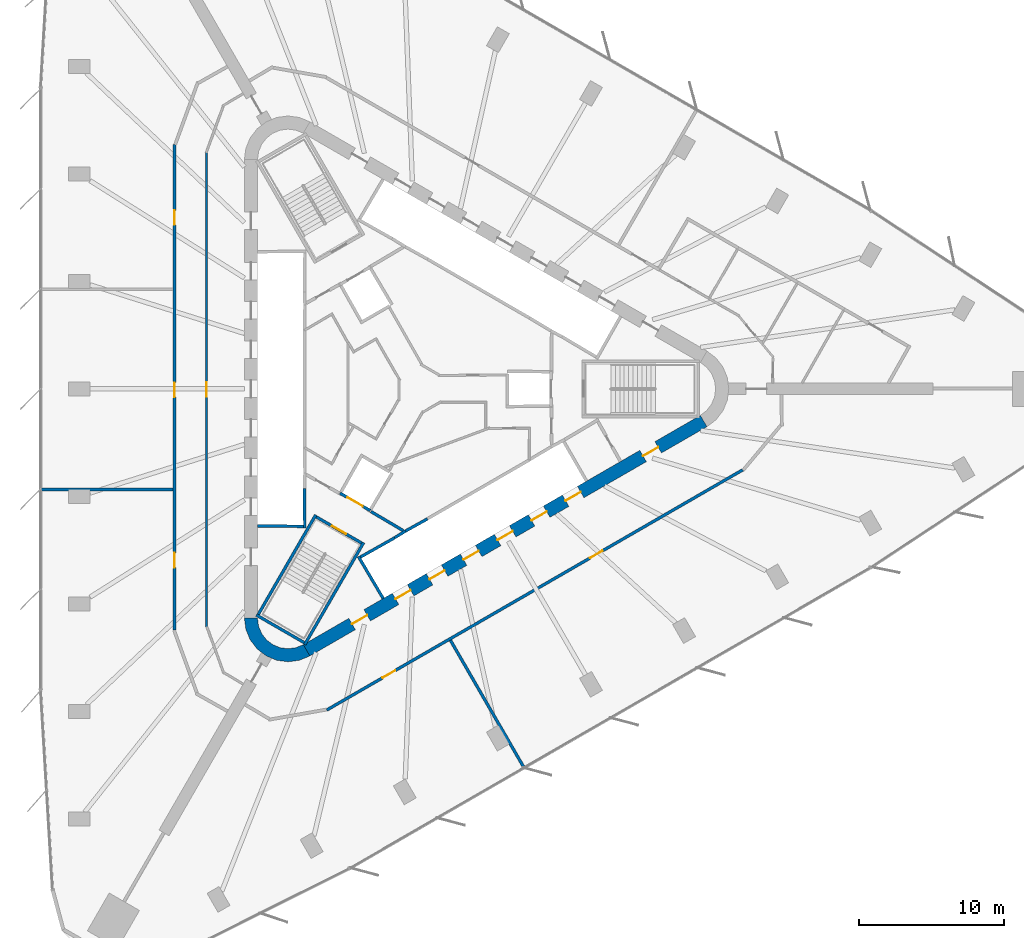
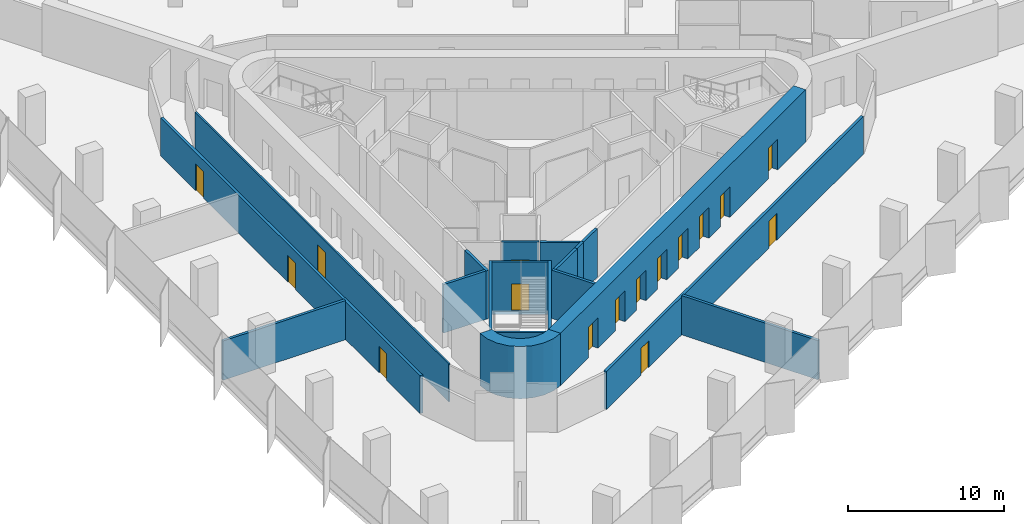
# One storey, part 9 of 14: 19 walls, 16 doors, 16 openings.
"""IFC4 building model written with IfcOpenShell, lengths in metres."""

from ifc_helpers import new_model, si_unit, direction, frame, frame_2d, origin, place, context, subcontext, project, spatial, polyline, rectangle, outline, extrude, material, layer, layer_set, type_object, element, fill, save


model = new_model("IFC4")

# Units and contexts
model_context = context("Model", 3, precision=1e-05, world=origin(), true_north=direction((0.0, 1.0)))
body_context = subcontext(model_context, "Body", "Model", "MODEL_VIEW")
ifc_project = project(units=[si_unit("LENGTHUNIT", "METRE"), si_unit("AREAUNIT", "SQUARE_METRE"), si_unit("VOLUMEUNIT", "CUBIC_METRE"), si_unit("PLANEANGLEUNIT", "RADIAN"), si_unit("MASSUNIT", "GRAM", prefix="KILO")], contexts=[model_context])

# Site, building, storey
site_placement = place(None, origin())
site = spatial("IfcSite", under=ifc_project, at=site_placement, CompositionType="ELEMENT")
building_placement = place(site_placement, origin())
building = spatial("IfcBuilding", under=site, at=building_placement, Name="Tanit Gate Tower", CompositionType="ELEMENT")
storey_placement = place(building_placement, frame((0.0, 0.0, 49.60009765625)))
storey = spatial("IfcBuildingStorey", under=building, at=storey_placement, Name="L08", CompositionType="ELEMENT", Elevation=49.60009765625)

# Wall, openings, doors
ifc_material_1 = material(Name="Concrete C60/75", Category="concrete")
ifc_layer_1 = layer(ifc_material_1, 0.89990234375)
ifc_layer_set_1 = layer_set([ifc_layer_1], Name="CORE WALL 900 C60/75")
wall_type_1 = type_object("IfcWallType", Name="CORE WALL 900 C60/75", PredefinedType="SHEAR", material=ifc_layer_set_1)
wall_1_placement = place(storey_placement, frame((-7.824951171875, -17.969970703125, 0.0), z_axis=(0.0, 0.0, 1.0), x_axis=(0.866028369851, 0.499994862586, 0.0)))
wall_1 = element("IfcWall", 1, at=wall_1_placement, inside=storey, type_object=wall_type_1, Name="CORE WALL", PredefinedType="SHEAR", context=body_context, shape_type="SweptSolid", body=[
    extrude(rectangle(XDim=31.523193359375, YDim=0.89990234375, at=frame_2d((15.76171875, 0.0))), origin(), (0.0, 0.0, 1.0), 4.099853515625),
])
opening_1_placement = place(wall_1_placement, frame((7.061767578125, 0.0, 0.0)))
opening_1 = element("IfcOpeningElement", 2, at=opening_1_placement, cuts=wall_1, Name="Opening LDSX1-S00", PredefinedType="OPENING", context=body_context, shape_type="SweptSolid", body=[
    extrude(rectangle(XDim=1.199951171875, YDim=2.39990234375, at=frame_2d((0.60009765625, 1.199951171875))), frame((0.0, 0.4599609375, 0.0), z_axis=(0.0, -1.0, 0.0), x_axis=(1.0, 0.0, 0.0)), (0.0, 0.0, 1.0), 0.919921875),
])
opening_2_placement = place(wall_1_placement, frame((9.76171875, 0.0, 0.0)))
opening_2 = element("IfcOpeningElement", 3, at=opening_2_placement, cuts=wall_1, Name="Opening LDSX2-S00", PredefinedType="OPENING", context=body_context, shape_type="SweptSolid", body=[
    extrude(rectangle(XDim=1.199951171875, YDim=2.39990234375, at=frame_2d((0.60009765625, 1.199951171875))), frame((0.0, 0.4599609375, 0.0), z_axis=(0.0, -1.0, 0.0), x_axis=(1.0, 0.0, 0.0)), (0.0, 0.0, 1.0), 0.919921875),
])
opening_3_placement = place(wall_1_placement, frame((12.461669921875, 0.0, 0.0)))
opening_3 = element("IfcOpeningElement", 4, at=opening_3_placement, cuts=wall_1, Name="Opening LDSX3-S00", PredefinedType="OPENING", context=body_context, shape_type="SweptSolid", body=[
    extrude(rectangle(XDim=1.199951171875, YDim=2.39990234375, at=frame_2d((0.60009765625, 1.199951171875))), frame((0.0, 0.4599609375, 0.0), z_axis=(0.0, -1.0, 0.0), x_axis=(1.0, 0.0, 0.0)), (0.0, 0.0, 1.0), 0.919921875),
])
opening_4_placement = place(wall_1_placement, frame((15.16162109375, 0.0, 0.0)))
opening_4 = element("IfcOpeningElement", 5, at=opening_4_placement, cuts=wall_1, Name="Opening LDSX4-S00", PredefinedType="OPENING", context=body_context, shape_type="SweptSolid", body=[
    extrude(rectangle(XDim=1.199951171875, YDim=2.39990234375, at=frame_2d((0.60009765625, 1.199951171875))), frame((0.0, 0.4599609375, 0.0), z_axis=(0.0, -1.0, 0.0), x_axis=(1.0, 0.0, 0.0)), (0.0, 0.0, 1.0), 0.919921875),
])
opening_5_placement = place(wall_1_placement, frame((17.861572265625, 0.0, 0.0)))
opening_5 = element("IfcOpeningElement", 6, at=opening_5_placement, cuts=wall_1, Name="Opening LDSV1-S00", PredefinedType="OPENING", context=body_context, shape_type="SweptSolid", body=[
    extrude(rectangle(XDim=1.199951171875, YDim=2.39990234375, at=frame_2d((0.60009765625, 1.199951171875))), frame((0.0, 0.4599609375, 0.0), z_axis=(0.0, -1.0, 0.0), x_axis=(1.0, 0.0, 0.0)), (0.0, 0.0, 1.0), 0.919921875),
])
opening_6_placement = place(wall_1_placement, frame((20.561767578125, 0.0, 0.0)))
opening_6 = element("IfcOpeningElement", 7, at=opening_6_placement, cuts=wall_1, Name="Opening LDSV2-S00", PredefinedType="OPENING", context=body_context, shape_type="SweptSolid", body=[
    extrude(rectangle(XDim=1.199951171875, YDim=2.39990234375, at=frame_2d((0.60009765625, 1.199951171875))), frame((0.0, 0.4599609375, 0.0), z_axis=(0.0, -1.0, 0.0), x_axis=(1.0, 0.0, 0.0)), (0.0, 0.0, 1.0), 0.919921875),
])
opening_7_placement = place(wall_1_placement, frame((26.711669921875, 0.0, 0.0)))
opening_7 = element("IfcOpeningElement", 8, at=opening_7_placement, cuts=wall_1, Name="Opening F12-S00-S1", PredefinedType="OPENING", context=body_context, shape_type="SweptSolid", body=[
    extrude(rectangle(XDim=1.199951171875, YDim=2.39990234375, at=frame_2d((0.60009765625, 1.199951171875))), frame((0.0, 0.4599609375, 0.0), z_axis=(0.0, -1.0, 0.0), x_axis=(1.0, 0.0, 0.0)), (0.0, 0.0, 1.0), 0.919921875),
])
opening_8_placement = place(wall_1_placement, frame((3.611572265625, 0.0, 0.0)))
opening_8 = element("IfcOpeningElement", 9, at=opening_8_placement, cuts=wall_1, Name="Opening F12-S00-FL3", PredefinedType="OPENING", context=body_context, shape_type="SweptSolid", body=[
    extrude(rectangle(XDim=1.199951171875, YDim=2.39990234375, at=frame_2d((0.60009765625, 1.199951171875))), frame((0.0, 0.4599609375, 0.0), z_axis=(0.0, -1.0, 0.0), x_axis=(1.0, 0.0, 0.0)), (0.0, 0.0, 1.0), 0.919921875),
])
ifc_material_2 = material(Name="Fire-rated steel door leaf", Category="steel")
door_type_1 = type_object("IfcDoorType", Name="INT-DOOR-FIRE-LOBBY-1200", OperationType="NOTDEFINED", PredefinedType="USERDEFINED", material=ifc_material_2)
door_1_placement = place(opening_7_placement, origin())
door_1 = element("IfcDoor", 10, at=door_1_placement, inside=storey, type_object=door_type_1, Name="Door F12-S00-S1", ObjectType="FIRE DOOR", OperationType="SINGLE_SWING_RIGHT", OverallHeight=2.39990234375, OverallWidth=1.199951171875, PredefinedType="USERDEFINED", context=body_context, shape_type="SweptSolid", body=[
    extrude(rectangle(XDim=1.199951171875, YDim=2.39990234375, at=frame_2d((0.60009765625, 1.199951171875))), frame((0.0, 0.02490234375, 0.0), z_axis=(0.0, -1.0, 0.0), x_axis=(1.0, 0.0, 0.0)), (0.0, 0.0, 1.0), 0.050048828125),
])
fill(opening_7, door_1)
door_2_placement = place(opening_8_placement, origin())
door_2 = element("IfcDoor", 11, at=door_2_placement, inside=storey, type_object=door_type_1, Name="Door F12-S00-FL3", ObjectType="FIRE DOOR", OperationType="SINGLE_SWING_LEFT", OverallHeight=2.39990234375, OverallWidth=1.199951171875, PredefinedType="USERDEFINED", context=body_context, shape_type="SweptSolid", body=[
    extrude(rectangle(XDim=1.199951171875, YDim=2.39990234375, at=frame_2d((0.60009765625, 1.199951171875))), frame((0.0, 0.02490234375, 0.0), z_axis=(0.0, -1.0, 0.0), x_axis=(1.0, 0.0, 0.0)), (0.0, 0.0, 1.0), 0.050048828125),
])
fill(opening_8, door_2)
ifc_material_3 = material(Name="Stainless steel sliding door leaf", Category="steel")
door_type_2 = type_object("IfcDoorType", Name="INT-DOOR-LANDING-1200", OperationType="NOTDEFINED", PredefinedType="USERDEFINED", material=ifc_material_3)
door_3_placement = place(opening_1_placement, origin())
door_3 = element("IfcDoor", 12, at=door_3_placement, inside=storey, type_object=door_type_2, Name="Door LDSX1-S00", ObjectType="LANDING DOOR", OperationType="SLIDING_TO_LEFT", OverallHeight=2.39990234375, OverallWidth=1.199951171875, PredefinedType="USERDEFINED", context=body_context, shape_type="SweptSolid", body=[
    extrude(rectangle(XDim=1.199951171875, YDim=2.39990234375, at=frame_2d((0.60009765625, 1.199951171875))), frame((0.0, 0.02490234375, 0.0), z_axis=(0.0, -1.0, 0.0), x_axis=(1.0, 0.0, 0.0)), (0.0, 0.0, 1.0), 0.050048828125),
])
fill(opening_1, door_3)
door_4_placement = place(opening_2_placement, origin())
door_4 = element("IfcDoor", 13, at=door_4_placement, inside=storey, type_object=door_type_2, Name="Door LDSX2-S00", ObjectType="LANDING DOOR", OperationType="SLIDING_TO_LEFT", OverallHeight=2.39990234375, OverallWidth=1.199951171875, PredefinedType="USERDEFINED", context=body_context, shape_type="SweptSolid", body=[
    extrude(rectangle(XDim=1.199951171875, YDim=2.39990234375, at=frame_2d((0.60009765625, 1.199951171875))), frame((0.0, 0.02490234375, 0.0), z_axis=(0.0, -1.0, 0.0), x_axis=(1.0, 0.0, 0.0)), (0.0, 0.0, 1.0), 0.050048828125),
])
fill(opening_2, door_4)
door_5_placement = place(opening_3_placement, origin())
door_5 = element("IfcDoor", 14, at=door_5_placement, inside=storey, type_object=door_type_2, Name="Door LDSX3-S00", ObjectType="LANDING DOOR", OperationType="SLIDING_TO_LEFT", OverallHeight=2.39990234375, OverallWidth=1.199951171875, PredefinedType="USERDEFINED", context=body_context, shape_type="SweptSolid", body=[
    extrude(rectangle(XDim=1.199951171875, YDim=2.39990234375, at=frame_2d((0.60009765625, 1.199951171875))), frame((0.0, 0.02490234375, 0.0), z_axis=(0.0, -1.0, 0.0), x_axis=(1.0, 0.0, 0.0)), (0.0, 0.0, 1.0), 0.050048828125),
])
fill(opening_3, door_5)
door_6_placement = place(opening_4_placement, origin())
door_6 = element("IfcDoor", 15, at=door_6_placement, inside=storey, type_object=door_type_2, Name="Door LDSX4-S00", ObjectType="LANDING DOOR", OperationType="SLIDING_TO_LEFT", OverallHeight=2.39990234375, OverallWidth=1.199951171875, PredefinedType="USERDEFINED", context=body_context, shape_type="SweptSolid", body=[
    extrude(rectangle(XDim=1.199951171875, YDim=2.39990234375, at=frame_2d((0.60009765625, 1.199951171875))), frame((0.0, 0.02490234375, 0.0), z_axis=(0.0, -1.0, 0.0), x_axis=(1.0, 0.0, 0.0)), (0.0, 0.0, 1.0), 0.050048828125),
])
fill(opening_4, door_6)
door_7_placement = place(opening_5_placement, origin())
door_7 = element("IfcDoor", 16, at=door_7_placement, inside=storey, type_object=door_type_2, Name="Door LDSV1-S00", ObjectType="LANDING DOOR", OperationType="SLIDING_TO_LEFT", OverallHeight=2.39990234375, OverallWidth=1.199951171875, PredefinedType="USERDEFINED", context=body_context, shape_type="SweptSolid", body=[
    extrude(rectangle(XDim=1.199951171875, YDim=2.39990234375, at=frame_2d((0.60009765625, 1.199951171875))), frame((0.0, 0.02490234375, 0.0), z_axis=(0.0, -1.0, 0.0), x_axis=(1.0, 0.0, 0.0)), (0.0, 0.0, 1.0), 0.050048828125),
])
fill(opening_5, door_7)
door_8_placement = place(opening_6_placement, origin())
door_8 = element("IfcDoor", 17, at=door_8_placement, inside=storey, type_object=door_type_2, Name="Door LDSV2-S00", ObjectType="LANDING DOOR", OperationType="SLIDING_TO_LEFT", OverallHeight=2.39990234375, OverallWidth=1.199951171875, PredefinedType="USERDEFINED", context=body_context, shape_type="SweptSolid", body=[
    extrude(rectangle(XDim=1.199951171875, YDim=2.39990234375, at=frame_2d((0.60009765625, 1.199951171875))), frame((0.0, 0.02490234375, 0.0), z_axis=(0.0, -1.0, 0.0), x_axis=(1.0, 0.0, 0.0)), (0.0, 0.0, 1.0), 0.050048828125),
])
fill(opening_6, door_8)

# Walls
wall_2_placement = place(storey_placement, origin())
element("IfcWall", 18, at=wall_2_placement, inside=storey, type_object=wall_type_1, Name="CORE WALL CORNER", PredefinedType="SHEAR", context=body_context, shape_type="SweptSolid", body=[
    extrude(outline(polyline([(-12.10009765625, -15.76171875), (-11.997802734375, -16.5380859375), (-11.697998046875, -17.26171875), (-11.22119140625, -17.883056640625), (-10.60009765625, -18.359619140625), (-9.87646484375, -18.659423828125), (-9.10009765625, -18.76171875), (-8.323486328125, -18.659423828125), (-7.60009765625, -18.359619140625), (-8.050048828125, -17.580322265625), (-8.556396484375, -17.7900390625), (-9.10009765625, -17.86181640625), (-9.6435546875, -17.7900390625), (-10.14990234375, -17.580322265625), (-10.5849609375, -17.24658203125), (-10.918701171875, -16.811767578125), (-11.12841796875, -16.30517578125), (-11.199951171875, -15.76171875), (-12.10009765625, -15.76171875)])), origin(), (0.0, 0.0, 1.0), 4.099853515625),
])
ifc_material_4 = material(Name="Fire-rated gypsum board partition")
ifc_layer_2 = layer(ifc_material_4, 0.199951171875)
ifc_layer_set_2 = layer_set([ifc_layer_2], Name="INT-WALL-COMPARTMENT")
wall_type_2 = type_object("IfcWallType", Name="INT-WALL-COMPARTMENT", PredefinedType="PARTITIONING", material=ifc_layer_set_2)
wall_3_placement = place(storey_placement, frame((-3.400634765625, -8.43017578125, 0.0), z_axis=(0.0, 0.0, 1.0), x_axis=(0.860615607571, -0.509255118781, 0.0)))
element("IfcWall", 19, at=wall_3_placement, inside=storey, type_object=wall_type_2, Name="Wall Compartment W063", PredefinedType="PARTITIONING", context=body_context, shape_type="SweptSolid", body=[
    extrude(rectangle(XDim=2.58056640625, YDim=0.199951171875, at=frame_2d((1.290283203125, 0.0))), origin(), (0.0, 0.0, 1.0), 3.7998046875),
])

# Wall, openings, doors
wall_4_placement = place(storey_placement, frame((-16.89990234375, 16.787353515625, 0.0), z_axis=(0.0, 0.0, 1.0), x_axis=(0.0, -1.0, 0.0)))
wall_4 = element("IfcWall", 20, at=wall_4_placement, inside=storey, type_object=wall_type_2, Name="Wall Compartment W097", PredefinedType="PARTITIONING", context=body_context, shape_type="SweptSolid", body=[
    extrude(rectangle(XDim=33.374755859375, YDim=0.199951171875, at=frame_2d((16.6875, 0.0))), origin(), (0.0, 0.0, 1.0), 2.97998046875),
])
opening_9_placement = place(wall_4_placement, frame((28.066650390625, 0.0, 0.0)))
opening_9 = element("IfcOpeningElement", 21, at=opening_9_placement, cuts=wall_4, Name="Opening F10-S00-21", PredefinedType="OPENING", context=body_context, shape_type="SweptSolid", body=[
    extrude(rectangle(XDim=1.0, YDim=2.10009765625, at=frame_2d((0.5, 1.050048828125))), frame((0.0, 0.10986328125, 0.0), z_axis=(0.0, -1.0, 0.0), x_axis=(1.0, 0.0, 0.0)), (0.0, 0.0, 1.0), 0.219970703125),
])
opening_10_placement = place(wall_4_placement, frame((16.3466796875, 0.0, 0.0)))
opening_10 = element("IfcOpeningElement", 22, at=opening_10_placement, cuts=wall_4, Name="Opening F10-S00-22", PredefinedType="OPENING", context=body_context, shape_type="SweptSolid", body=[
    extrude(rectangle(XDim=1.0, YDim=2.10009765625, at=frame_2d((0.5, 1.050048828125))), frame((0.0, 0.10986328125, 0.0), z_axis=(0.0, -1.0, 0.0), x_axis=(1.0, 0.0, 0.0)), (0.0, 0.0, 1.0), 0.219970703125),
])
opening_11_placement = place(wall_4_placement, frame((4.517578125, 0.0, 0.0)))
opening_11 = element("IfcOpeningElement", 23, at=opening_11_placement, cuts=wall_4, Name="Opening F10-S00-23", PredefinedType="OPENING", context=body_context, shape_type="SweptSolid", body=[
    extrude(rectangle(XDim=1.0, YDim=2.10009765625, at=frame_2d((0.5, 1.050048828125))), frame((0.0, 0.10986328125, 0.0), z_axis=(0.0, -1.0, 0.0), x_axis=(1.0, 0.0, 0.0)), (0.0, 0.0, 1.0), 0.219970703125),
])
ifc_material_5 = material(Name="Fire-rated steel door leaf", Category="steel")
door_type_3 = type_object("IfcDoorType", Name="INT-DOOR-FIRE-1000", OperationType="NOTDEFINED", PredefinedType="USERDEFINED", material=ifc_material_5)
door_9_placement = place(opening_9_placement, origin())
door_9 = element("IfcDoor", 24, at=door_9_placement, inside=storey, type_object=door_type_3, Name="Door F10-S00-21", ObjectType="FIRE DOOR", OperationType="SINGLE_SWING_RIGHT", OverallHeight=2.10009765625, OverallWidth=1.0, PredefinedType="USERDEFINED", context=body_context, shape_type="SweptSolid", body=[
    extrude(rectangle(XDim=1.0, YDim=2.10009765625, at=frame_2d((0.5, 1.050048828125))), frame((0.0, 0.02490234375, 0.0), z_axis=(0.0, -1.0, 0.0), x_axis=(1.0, 0.0, 0.0)), (0.0, 0.0, 1.0), 0.050048828125),
])
fill(opening_9, door_9)
door_10_placement = place(opening_10_placement, origin())
door_10 = element("IfcDoor", 25, at=door_10_placement, inside=storey, type_object=door_type_3, Name="Door F10-S00-22", ObjectType="FIRE DOOR", OperationType="SINGLE_SWING_LEFT", OverallHeight=2.10009765625, OverallWidth=1.0, PredefinedType="USERDEFINED", context=body_context, shape_type="SweptSolid", body=[
    extrude(rectangle(XDim=1.0, YDim=2.10009765625, at=frame_2d((0.5, 1.050048828125))), frame((0.0, 0.02490234375, 0.0), z_axis=(0.0, -1.0, 0.0), x_axis=(1.0, 0.0, 0.0)), (0.0, 0.0, 1.0), 0.050048828125),
])
fill(opening_10, door_10)
door_11_placement = place(opening_11_placement, origin())
door_11 = element("IfcDoor", 26, at=door_11_placement, inside=storey, type_object=door_type_3, Name="Door F10-S00-23", ObjectType="FIRE DOOR", OperationType="SINGLE_SWING_LEFT", OverallHeight=2.10009765625, OverallWidth=1.0, PredefinedType="USERDEFINED", context=body_context, shape_type="SweptSolid", body=[
    extrude(rectangle(XDim=1.0, YDim=2.10009765625, at=frame_2d((0.5, 1.050048828125))), frame((0.0, 0.02490234375, 0.0), z_axis=(0.0, -1.0, 0.0), x_axis=(1.0, 0.0, 0.0)), (0.0, 0.0, 1.0), 0.050048828125),
])
fill(opening_11, door_11)

wall_5_placement = place(storey_placement, frame((-6.435546875, -22.075439453125, 0.0), z_axis=(0.0, 0.0, 1.0), x_axis=(0.866022453651, 0.500005109747, 0.0)))
wall_5 = element("IfcWall", 27, at=wall_5_placement, inside=storey, type_object=wall_type_2, Name="Wall Compartment W112", PredefinedType="PARTITIONING", context=body_context, shape_type="SweptSolid", body=[
    extrude(rectangle(XDim=33.022216796875, YDim=0.199951171875, at=frame_2d((16.51123046875, 0.0))), origin(), (0.0, 0.0, 1.0), 2.97998046875),
])
opening_12_placement = place(wall_5_placement, frame((20.890380859375, 0.0, 0.0)))
opening_12 = element("IfcOpeningElement", 28, at=opening_12_placement, cuts=wall_5, Name="Opening F10-S00-26", PredefinedType="OPENING", context=body_context, shape_type="SweptSolid", body=[
    extrude(rectangle(XDim=1.0, YDim=2.10009765625, at=frame_2d((0.5, 1.050048828125))), frame((0.0, 0.10986328125, 0.0), z_axis=(0.0, -1.0, 0.0), x_axis=(1.0, 0.0, 0.0)), (0.0, 0.0, 1.0), 0.219970703125),
])
opening_13_placement = place(wall_5_placement, frame((4.42919921875, 0.0, 0.0)))
opening_13 = element("IfcOpeningElement", 29, at=opening_13_placement, cuts=wall_5, Name="Opening F10-S00-27", PredefinedType="OPENING", context=body_context, shape_type="SweptSolid", body=[
    extrude(rectangle(XDim=1.0, YDim=2.10009765625, at=frame_2d((0.5, 1.050048828125))), frame((0.0, 0.10986328125, 0.0), z_axis=(0.0, -1.0, 0.0), x_axis=(1.0, 0.0, 0.0)), (0.0, 0.0, 1.0), 0.219970703125),
])
door_12_placement = place(opening_12_placement, origin())
door_12 = element("IfcDoor", 30, at=door_12_placement, inside=storey, type_object=door_type_3, Name="Door F10-S00-26", ObjectType="FIRE DOOR", OperationType="SINGLE_SWING_RIGHT", OverallHeight=2.10009765625, OverallWidth=1.0, PredefinedType="USERDEFINED", context=body_context, shape_type="SweptSolid", body=[
    extrude(rectangle(XDim=1.0, YDim=2.10009765625, at=frame_2d((0.5, 1.050048828125))), frame((0.0, 0.02490234375, 0.0), z_axis=(0.0, -1.0, 0.0), x_axis=(1.0, 0.0, 0.0)), (0.0, 0.0, 1.0), 0.050048828125),
])
fill(opening_12, door_12)
door_13_placement = place(opening_13_placement, origin())
door_13 = element("IfcDoor", 31, at=door_13_placement, inside=storey, type_object=door_type_3, Name="Door F10-S00-27", ObjectType="FIRE DOOR", OperationType="SINGLE_SWING_RIGHT", OverallHeight=2.10009765625, OverallWidth=1.0, PredefinedType="USERDEFINED", context=body_context, shape_type="SweptSolid", body=[
    extrude(rectangle(XDim=1.0, YDim=2.10009765625, at=frame_2d((0.5, 1.050048828125))), frame((0.0, 0.02490234375, 0.0), z_axis=(0.0, -1.0, 0.0), x_axis=(1.0, 0.0, 0.0)), (0.0, 0.0, 1.0), 0.050048828125),
])
fill(opening_13, door_13)

# Walls
wall_6_placement = place(storey_placement, frame((-17.0, -6.9111328125, 0.0), z_axis=(0.0, 0.0, 1.0), x_axis=(-0.999999996767, -8.0416019e-05, 0.0)))
element("IfcWall", 32, at=wall_6_placement, inside=storey, type_object=wall_type_2, Name="Wall Compartment W115", PredefinedType="PARTITIONING", context=body_context, shape_type="SweptSolid", body=[
    extrude(rectangle(XDim=9.10791015625, YDim=0.199951171875, at=frame_2d((4.553955078125, 0.0))), origin(), (0.0, 0.0, 1.0), 3.079833984375),
])
wall_7_placement = place(storey_placement, frame((2.065673828125, -17.28271484375, 0.0), z_axis=(0.0, 0.0, 1.0), x_axis=(0.5000534592, -0.865994536901, 0.0)))
element("IfcWall", 33, at=wall_7_placement, inside=storey, type_object=wall_type_2, Name="Wall Compartment W130", PredefinedType="PARTITIONING", context=body_context, shape_type="SweptSolid", body=[
    extrude(rectangle(XDim=10.10888671875, YDim=0.199951171875, at=frame_2d((5.054443359375, 0.0))), origin(), (0.0, 0.0, 1.0), 3.079833984375),
])

# Wall, opening, door
ifc_material_6 = material(Name="Gypsum board partition")
ifc_layer_3 = layer(ifc_material_6, 0.1201171875)
ifc_layer_set_3 = layer_set([ifc_layer_3], Name="INT-WALL-PARTITION")
wall_type_3 = type_object("IfcWallType", Name="INT-WALL-PARTITION", PredefinedType="PARTITIONING", material=ifc_layer_set_3)
wall_8_placement = place(storey_placement, frame((-14.699951171875, 16.239501953125, 0.0), z_axis=(0.0, 0.0, 1.0), x_axis=(0.0, -1.0, 0.0)))
wall_8 = element("IfcWall", 34, at=wall_8_placement, inside=storey, type_object=wall_type_3, Name="Wall Partition W090", PredefinedType="PARTITIONING", context=body_context, shape_type="SweptSolid", body=[
    extrude(rectangle(XDim=32.598876953125, YDim=0.1201171875, at=frame_2d((16.29931640625, 0.0))), origin(), (0.0, 0.0, 1.0), 2.97998046875),
])
opening_14_placement = place(wall_8_placement, frame((15.76953125, 0.0, 0.0)))
opening_14 = element("IfcOpeningElement", 35, at=opening_14_placement, cuts=wall_8, Name="Opening D10-S00-16", PredefinedType="OPENING", context=body_context, shape_type="SweptSolid", body=[
    extrude(rectangle(XDim=1.0, YDim=2.10009765625, at=frame_2d((0.5, 1.050048828125))), frame((0.0, 0.070068359375, 0.0), z_axis=(0.0, -1.0, 0.0), x_axis=(1.0, 0.0, 0.0)), (0.0, 0.0, 1.0), 0.14013671875),
])
ifc_material_7 = material(Name="Timber door leaf", Category="wood")
door_type_4 = type_object("IfcDoorType", Name="INT-DOOR-SINGLE-1000", OperationType="NOTDEFINED", PredefinedType="NOTDEFINED", material=ifc_material_7)
door_14_placement = place(opening_14_placement, origin())
door_14 = element("IfcDoor", 36, at=door_14_placement, inside=storey, type_object=door_type_4, Name="Door D10-S00-16", OperationType="SINGLE_SWING_LEFT", OverallHeight=2.10009765625, OverallWidth=1.0, PredefinedType="NOTDEFINED", context=body_context, shape_type="SweptSolid", body=[
    extrude(rectangle(XDim=1.0, YDim=2.10009765625, at=frame_2d((0.5, 1.050048828125))), frame((0.0, 0.02490234375, 0.0), z_axis=(0.0, -1.0, 0.0), x_axis=(1.0, 0.0, 0.0)), (0.0, 0.0, 1.0), 0.050048828125),
])
fill(opening_14, door_14)

# Walls
ifc_material_8 = material(Name="Gypsum shaft wall system")
ifc_layer_4 = layer(ifc_material_8, 0.199951171875)
ifc_layer_set_4 = layer_set([ifc_layer_4], Name="INT-WALL-SHAFT")
wall_type_4 = type_object("IfcWallType", Name="INT-WALL-SHAFT", PredefinedType="PLUMBINGWALL", material=ifc_layer_set_4)
wall_9_placement = place(storey_placement, frame((-7.97900390625, -6.85009765625, 0.0), z_axis=(0.0, 0.0, 1.0), x_axis=(0.011121475088, -0.999938154483, 0.0)))
element("IfcWall", 37, at=wall_9_placement, inside=storey, type_object=wall_type_4, Name="Wall Shaft W011", PredefinedType="PLUMBINGWALL", context=body_context, shape_type="SweptSolid", body=[
    extrude(rectangle(XDim=2.7001953125, YDim=0.199951171875, at=frame_2d((1.35009765625, 0.0))), origin(), (0.0, 0.0, 1.0), 3.7998046875),
])
wall_10_placement = place(storey_placement, frame((-8.050048828125, -9.448974609375, 0.0), z_axis=(0.0, 0.0, 1.0), x_axis=(-0.999957467379, 0.009222983926, 0.0)))
element("IfcWall", 38, at=wall_10_placement, inside=storey, type_object=wall_type_4, Name="Wall Shaft W012", PredefinedType="PLUMBINGWALL", context=body_context, shape_type="SweptSolid", body=[
    extrude(rectangle(XDim=3.150146484375, YDim=0.199951171875, at=frame_2d((1.5751953125, 0.0))), origin(), (0.0, 0.0, 1.0), 3.7998046875),
])
wall_11_placement = place(storey_placement, frame((-2.557861328125, -14.409423828125, 0.0), z_axis=(0.0, 0.0, 1.0), x_axis=(-0.507997497166, 0.861358544901, 0.0)))
element("IfcWall", 39, at=wall_11_placement, inside=storey, type_object=wall_type_4, Name="Wall Shaft W027", PredefinedType="PLUMBINGWALL", context=body_context, shape_type="SweptSolid", body=[
    extrude(rectangle(XDim=3.350341796875, YDim=0.199951171875, at=frame_2d((1.67529296875, 0.0))), origin(), (0.0, 0.0, 1.0), 3.7998046875),
])
wall_12_placement = place(storey_placement, frame((-1.7685546875, -10.23681640625, 0.0), z_axis=(0.0, 0.0, 1.0), x_axis=(-0.871534483978, -0.490334215854, 0.0)))
element("IfcWall", 40, at=wall_12_placement, inside=storey, type_object=wall_type_4, Name="Wall Shaft W028", PredefinedType="PLUMBINGWALL", context=body_context, shape_type="SweptSolid", body=[
    extrude(rectangle(XDim=2.7001953125, YDim=0.199951171875, at=frame_2d((1.35009765625, 0.0))), origin(), (0.0, 0.0, 1.0), 3.7998046875),
])
wall_13_placement = place(storey_placement, frame((-1.02392578125, -9.77099609375, 0.0), z_axis=(0.0, 0.0, 1.0), x_axis=(-0.850348075135, -0.526220629693, 0.0)))
element("IfcWall", 41, at=wall_13_placement, inside=storey, type_object=wall_type_4, Name="Wall Shaft W029", PredefinedType="PLUMBINGWALL", context=body_context, shape_type="SweptSolid", body=[
    extrude(rectangle(XDim=0.878173828125, YDim=0.199951171875, at=frame_2d((0.43896484375, 0.0))), origin(), (0.0, 0.0, 1.0), 3.7998046875),
])
wall_14_placement = place(storey_placement, frame((-1.130126953125, -9.831298828125, 0.0), z_axis=(0.0, 0.0, 1.0), x_axis=(0.874269620932, 0.485440655401, 0.0)))
element("IfcWall", 42, at=wall_14_placement, inside=storey, type_object=wall_type_4, Name="Wall Shaft W030", PredefinedType="PLUMBINGWALL", context=body_context, shape_type="SweptSolid", body=[
    extrude(rectangle(XDim=1.8447265625, YDim=0.199951171875, at=frame_2d((0.92236328125, 0.0))), origin(), (0.0, 0.0, 1.0), 3.7998046875),
])

# Wall, opening, door
wall_15_placement = place(storey_placement, frame((-3.44580078125, -8.3681640625, 0.0), z_axis=(0.0, 0.0, 1.0), x_axis=(-0.866024647952, 0.500001309137, 0.0)))
wall_15 = element("IfcWall", 43, at=wall_15_placement, inside=storey, type_object=wall_type_4, Name="Wall Shaft W053", PredefinedType="PLUMBINGWALL", context=body_context, shape_type="SweptSolid", body=[
    extrude(rectangle(XDim=2.39990234375, YDim=0.199951171875, at=frame_2d((1.199951171875, 0.0))), origin(), (0.0, 0.0, 1.0), 3.7998046875),
])
opening_15_placement = place(wall_15_placement, frame((0.60009765625, 0.0, 0.0)))
opening_15 = element("IfcOpeningElement", 44, at=opening_15_placement, cuts=wall_15, Name="Opening LDFL3-L08", PredefinedType="OPENING", context=body_context, shape_type="SweptSolid", body=[
    extrude(rectangle(XDim=1.199951171875, YDim=2.39990234375, at=frame_2d((0.60009765625, 1.199951171875))), frame((0.0, 0.10986328125, 0.0), z_axis=(0.0, -1.0, 0.0), x_axis=(1.0, 0.0, 0.0)), (0.0, 0.0, 1.0), 0.219970703125),
])
door_15_placement = place(opening_15_placement, origin())
door_15 = element("IfcDoor", 45, at=door_15_placement, inside=storey, type_object=door_type_2, Name="Door LDFL3-L08", ObjectType="LANDING DOOR", OperationType="SLIDING_TO_LEFT", OverallHeight=2.39990234375, OverallWidth=1.199951171875, PredefinedType="USERDEFINED", context=body_context, shape_type="SweptSolid", body=[
    extrude(rectangle(XDim=1.199951171875, YDim=2.39990234375, at=frame_2d((0.60009765625, 1.199951171875))), frame((0.0, 0.02490234375, 0.0), z_axis=(0.0, -1.0, 0.0), x_axis=(1.0, 0.0, 0.0)), (0.0, 0.0, 1.0), 0.050048828125),
])
fill(opening_15, door_15)

# Walls
ifc_material_9 = material(Name="Concrete C40/50", Category="concrete")
ifc_layer_5 = layer(ifc_material_9, 0.199951171875)
ifc_layer_set_5 = layer_set([ifc_layer_5], Name="INT-WALL-STAIR")
wall_type_5 = type_object("IfcWallType", Name="INT-WALL-STAIR", PredefinedType="SHEAR", material=ifc_layer_set_5)
wall_16_placement = place(storey_placement, frame((-3.904541015625, -10.56298828125, -0.300048828125), z_axis=(0.0, 0.0, 1.0), x_axis=(-0.500012932018, -0.866017937352, 0.0)))
element("IfcWall", 46, at=wall_16_placement, inside=storey, type_object=wall_type_5, Name="Wall Stair W049", PredefinedType="SHEAR", context=body_context, shape_type="SweptSolid", body=[
    extrude(rectangle(XDim=8.099853515625, YDim=0.199951171875, at=frame_2d((4.0498046875, 0.0))), origin(), (0.0, 0.0, 1.0), 4.099853515625),
])
wall_17_placement = place(storey_placement, frame((-11.281982421875, -15.541015625, -0.300048828125), z_axis=(0.0, 0.0, 1.0), x_axis=(0.866000483506, -0.500043160704, 0.0)))
element("IfcWall", 47, at=wall_17_placement, inside=storey, type_object=wall_type_5, Name="Wall Stair W050", PredefinedType="SHEAR", context=body_context, shape_type="SweptSolid", body=[
    extrude(rectangle(XDim=3.800048828125, YDim=0.199951171875, at=frame_2d((1.89990234375, 0.0))), origin(), (0.0, 0.0, 1.0), 4.099853515625),
])
wall_18_placement = place(storey_placement, frame((-7.195556640625, -8.662841796875, -0.300048828125), z_axis=(0.0, 0.0, 1.0), x_axis=(-0.499997992926, -0.866026562566, 0.0)))
element("IfcWall", 48, at=wall_18_placement, inside=storey, type_object=wall_type_5, Name="Wall Stair W051", PredefinedType="SHEAR", context=body_context, shape_type="SweptSolid", body=[
    extrude(rectangle(XDim=7.89990234375, YDim=0.199951171875, at=frame_2d((3.949951171875, 0.0))), origin(), (0.0, 0.0, 1.0), 4.099853515625),
])

# Wall, opening, door
wall_19_placement = place(storey_placement, frame((-4.041259765625, -10.599365234375, -0.300048828125), z_axis=(0.0, 0.0, 1.0), x_axis=(-0.866047807691, 0.499961193289, 0.0)))
wall_19 = element("IfcWall", 49, at=wall_19_placement, inside=storey, type_object=wall_type_5, Name="Wall Stair W052", PredefinedType="SHEAR", context=body_context, shape_type="SweptSolid", body=[
    extrude(rectangle(XDim=3.599853515625, YDim=0.199951171875, at=frame_2d((1.7998046875, 0.0))), origin(), (0.0, 0.0, 1.0), 4.099853515625),
])
opening_16_placement = place(wall_19_placement, frame((1.25, 0.0, 0.300048828125)))
opening_16 = element("IfcOpeningElement", 50, at=opening_16_placement, cuts=wall_19, Name="Opening S11-S00-07", PredefinedType="OPENING", context=body_context, shape_type="SweptSolid", body=[
    extrude(rectangle(XDim=1.10009765625, YDim=2.10009765625, at=frame_2d((0.550048828125, 1.050048828125))), frame((0.0, 0.10986328125, 0.0), z_axis=(0.0, -1.0, 0.0), x_axis=(1.0, 0.0, 0.0)), (0.0, 0.0, 1.0), 0.219970703125),
])
ifc_material_10 = material(Name="Timber door leaf", Category="wood")
door_type_5 = type_object("IfcDoorType", Name="INT-DOOR-STAIR-1100", OperationType="NOTDEFINED", PredefinedType="USERDEFINED", material=ifc_material_10)
door_16_placement = place(opening_16_placement, origin())
door_16 = element("IfcDoor", 51, at=door_16_placement, inside=storey, type_object=door_type_5, Name="Door S11-S00-07", ObjectType="FIRE DOOR", OperationType="SINGLE_SWING_LEFT", OverallHeight=2.10009765625, OverallWidth=1.10009765625, PredefinedType="USERDEFINED", context=body_context, shape_type="SweptSolid", body=[
    extrude(rectangle(XDim=1.10009765625, YDim=2.10009765625, at=frame_2d((0.550048828125, 1.050048828125))), frame((0.0, 0.02490234375, 0.0), z_axis=(0.0, -1.0, 0.0), x_axis=(1.0, 0.0, 0.0)), (0.0, 0.0, 1.0), 0.050048828125),
])
fill(opening_16, door_16)

save(model, "model.ifc")
